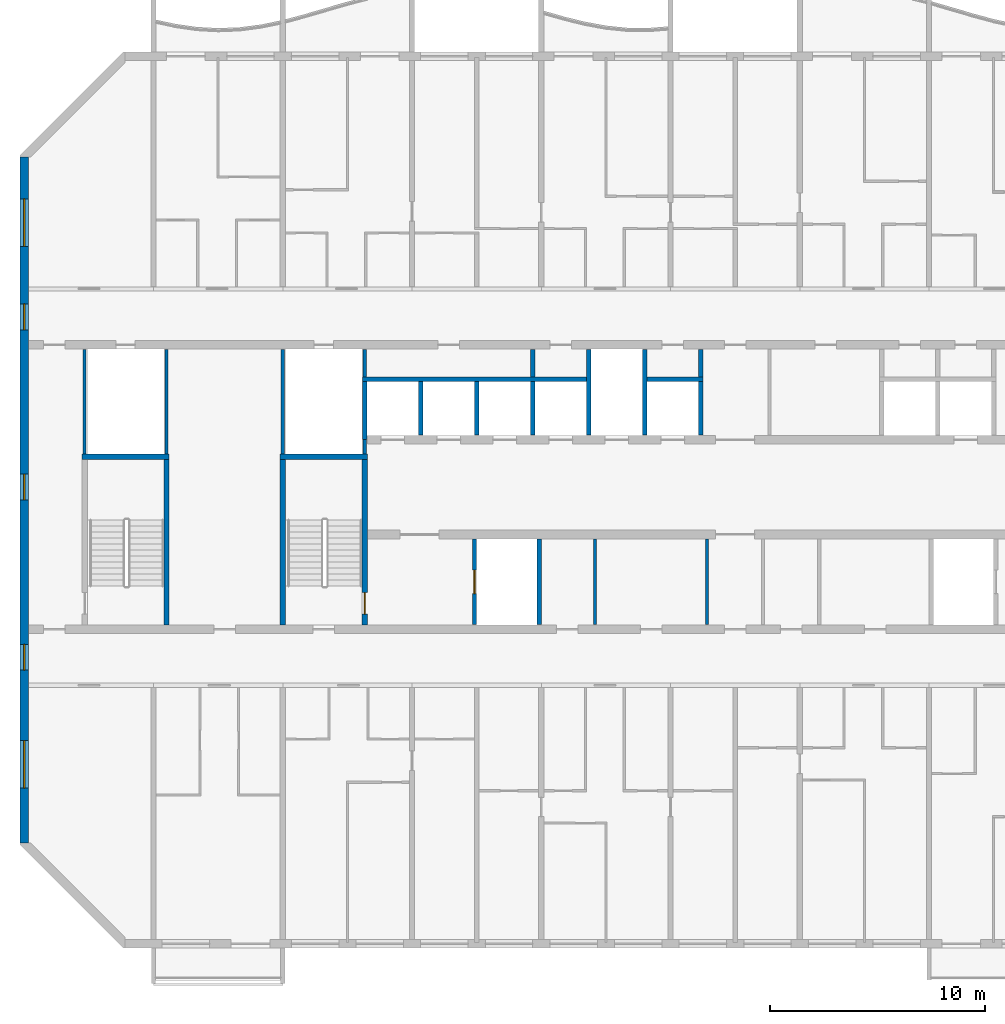
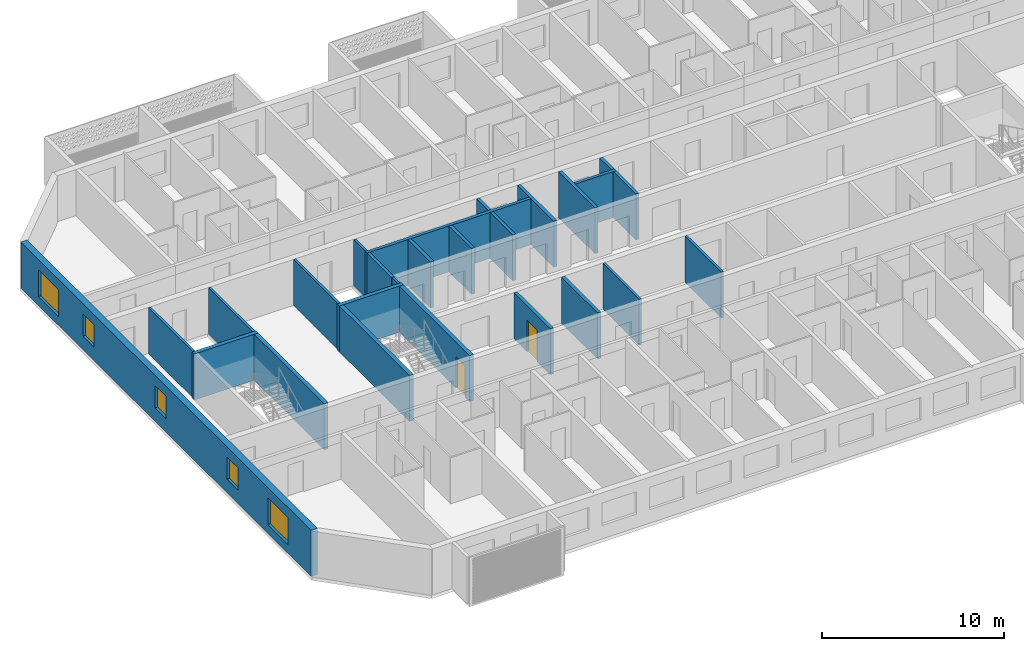
# One storey, part 3 of 28: 26 walls, 5 windows, 2 doors, 7 openings.
"""IFC4 building model written with IfcOpenShell, lengths in metres."""

import ifcopenshell
import ifcopenshell.guid

model = None  # the IFC model being written
_history = None  # IfcOwnerHistory: only IFC2X3 demands one
_inside = {}  # id of a spatial element -> (the spatial element, [elements in it])
_under = {}  # id of a project, library or spatial element -> (it, [spatial elements below it])
_declared = {}  # id of a project -> (the project, [libraries it declares])
_typed = {}  # id of a type object -> (the type object, [elements of that type])
_made_of = {}  # id of a material, layer set ... -> (it, [elements and type objects made of it])


def new_model(schema):
    """Start an empty IFC model of exactly this schema.

    Asked for "IFC4X3", IfcOpenShell would pick the latest addendum, in which some entities
    have other attributes; the version numbers below select the first issue.
    IFC2X3 requires an IfcOwnerHistory on every rooted entity: one is made here for all.
    """
    global model, _history
    if schema == "IFC4X3":
        model = ifcopenshell.file(schema_version=(4, 3, 0, 0))
    else:
        model = ifcopenshell.file(schema=schema)
    _inside.clear()
    _under.clear()
    _declared.clear()
    _typed.clear()
    _made_of.clear()
    _history = None
    if model.schema == "IFC2X3":
        org = make("IfcOrganization", Name="unknown")
        user = make(
            "IfcPersonAndOrganization",
            ThePerson=make("IfcPerson", FamilyName="unknown"),
            TheOrganization=org,
        )
        app = make(
            "IfcApplication",
            ApplicationDeveloper=org,
            Version="unknown",
            ApplicationFullName="unknown",
            ApplicationIdentifier="unknown",
        )
        _history = make(
            "IfcOwnerHistory",
            OwningUser=user,
            OwningApplication=app,
            ChangeAction="ADDED",
            CreationDate=0,
        )
    return model


def make(cls, **values):
    """One entity of the class cls with the attributes given. An attribute that is None is left unset."""
    return model.create_entity(
        cls, **{name: value for name, value in values.items() if value is not None}
    )


def rooted(cls, **values):
    """An entity with a GlobalId (a new one), such as an element, a storey or a relation."""
    return make(cls, GlobalId=ifcopenshell.guid.new(), OwnerHistory=_history, **values)


def si_unit(unit_type, name, prefix=None):
    """IfcSIUnit, for example si_unit("LENGTHUNIT", "METRE", prefix="MILLI")."""
    return make("IfcSIUnit", UnitType=unit_type, Prefix=prefix, Name=name)


def assignment(units):
    """IfcUnitAssignment: the units of a project."""
    return None if units is None else make("IfcUnitAssignment", Units=units)


def point(xyz):
    """IfcCartesianPoint."""
    return None if xyz is None else make("IfcCartesianPoint", Coordinates=xyz)


def direction(xyz):
    """IfcDirection."""
    return None if xyz is None else make("IfcDirection", DirectionRatios=xyz)


def frame(location, z_axis=None, x_axis=None):
    """IfcAxis2Placement3D, a coordinate frame: its origin and axes. An axis left out is left unset."""
    return make(
        "IfcAxis2Placement3D",
        Location=point(location),
        Axis=direction(z_axis),
        RefDirection=direction(x_axis),
    )


def frame_2d(location, x_axis=None):
    """IfcAxis2Placement2D, a coordinate frame in the plane: its origin and x axis."""
    return make(
        "IfcAxis2Placement2D", Location=point(location), RefDirection=direction(x_axis)
    )


def origin():
    """The frame at (0, 0, 0) with its axes left unset."""
    return frame((0.0, 0.0, 0.0))


def place(relative_to, where):
    """IfcLocalPlacement: puts the frame where relative to a parent placement (None: the world)."""
    return make(
        "IfcLocalPlacement", PlacementRelTo=relative_to, RelativePlacement=where
    )


def context(
    kind, dimensions, precision=None, world=None, true_north=None, identifier=None
):
    """IfcGeometricRepresentationContext, for example the 3D "Model" context."""
    return make(
        "IfcGeometricRepresentationContext",
        ContextIdentifier=identifier,
        ContextType=kind,
        CoordinateSpaceDimension=dimensions,
        Precision=precision,
        WorldCoordinateSystem=world,
        TrueNorth=true_north,
    )


def subcontext(parent, identifier, kind, view, scale=None):
    """IfcGeometricRepresentationSubContext, for example "Body" below "Model"."""
    return make(
        "IfcGeometricRepresentationSubContext",
        ContextIdentifier=identifier,
        ContextType=kind,
        ParentContext=parent,
        TargetScale=scale,
        TargetView=view,
    )


def project(units=None, contexts=None):
    """IfcProject with its units and contexts."""
    return rooted(
        "IfcProject",
        Name="project",
        RepresentationContexts=contexts,
        UnitsInContext=assignment(units),
    )


def spatial(cls, under=None, at=None, **own):
    """A site, building, storey or space (cls), placed at a placement, below another one or the project."""
    s = rooted(cls, ObjectPlacement=at, **own)
    if under is not None:
        _under.setdefault(under.id(), (under, []))[1].append(s)
    return s


def profile(cls, at=None, kind="AREA", **sizes):
    """A parametric profile (cls). Its sizes go by their IFC names, for example OverallWidth=200.0."""
    return make(cls, ProfileType=kind, Position=at, **sizes)


def rectangle(**sizes):
    """IfcRectangleProfileDef."""
    return profile("IfcRectangleProfileDef", **sizes)


def extrude(swept, where, along, depth):
    """IfcExtrudedAreaSolid: the profile swept, set in the frame where, extruded along a direction by depth."""
    return make(
        "IfcExtrudedAreaSolid",
        SweptArea=swept,
        Position=where,
        ExtrudedDirection=direction(along),
        Depth=depth,
    )


def shape(context_of_items, identifier, shape_type, items):
    """IfcShapeRepresentation: the items that make up one representation, for example the "Body"."""
    return make(
        "IfcShapeRepresentation",
        ContextOfItems=context_of_items,
        RepresentationIdentifier=identifier,
        RepresentationType=shape_type,
        Items=items,
    )


def material(Name=None, Category=None):
    """IfcMaterial."""
    return make("IfcMaterial", Name=Name, Category=Category)


def layer(
    of_material, thickness, ventilated=None, Name=None, Category=None, Priority=None
):
    """IfcMaterialLayer: one layer of a wall or slab, of a material (None: an air gap)."""
    return make(
        "IfcMaterialLayer",
        Material=of_material,
        LayerThickness=thickness,
        IsVentilated=ventilated,
        Name=Name,
        Category=Category,
        Priority=Priority,
    )


def layer_set(layers, Name=None):
    """IfcMaterialLayerSet."""
    return make("IfcMaterialLayerSet", MaterialLayers=layers, LayerSetName=Name)


def made_of(thing, what):
    """Note that an element or type object is made of a material, layer set ...; save() writes the relation."""
    if what is not None:
        _made_of.setdefault(what.id(), (what, []))[1].append(thing)
    return thing


def type_object(cls, material=None, **own):
    """A type object (cls), such as IfcWallType, which elements share."""
    return made_of(rooted(cls, **own), material)


def element(
    cls,
    number,
    at=None,
    inside=None,
    cuts=None,
    type_object=None,
    material=None,
    context=None,
    identifier="Body",
    shape_type=None,
    held_by="IfcProductDefinitionShape",
    body=None,
    shapes=None,
    **own,
):
    """One element of the class cls, such as IfcWall. Its Tag is "e" and its number.

    at: its placement. inside: the storey or other place that contains it. cuts: it is an
    opening in that element (IfcRelVoidsElement). A single representation is given by context,
    identifier, shape_type and body (its items); several are given by shapes. held_by: the class
    of the entity that holds the representations. save() writes the other relations.
    """
    e = rooted(cls, Tag="e%d" % number, ObjectPlacement=at, **own)
    if body is not None:
        shapes = [shape(context, identifier, shape_type, body)]
    if shapes is not None:
        e.Representation = make(held_by, Representations=shapes)
    if inside is not None:
        _inside.setdefault(inside.id(), (inside, []))[1].append(e)
    if cuts is not None:
        rooted(
            "IfcRelVoidsElement", RelatingBuildingElement=cuts, RelatedOpeningElement=e
        )
    if type_object is not None:
        _typed.setdefault(type_object.id(), (type_object, []))[1].append(e)
    return made_of(e, material)


def fill(opening, filler):
    """IfcRelFillsElement: the door or window that sits in an opening."""
    return rooted(
        "IfcRelFillsElement",
        RelatingOpeningElement=opening,
        RelatedBuildingElement=filler,
    )


def aggregate(whole, parts):
    """IfcRelAggregates: a whole, such as a stair, and the parts it consists of."""
    return rooted("IfcRelAggregates", RelatingObject=whole, RelatedObjects=parts)


def save(model, path):
    """Write the relations noted so far, then the file.

    IfcRelAggregates (storeys below a building ...), IfcRelContainedInSpatialStructure (elements
    in a storey), IfcRelDefinesByType, IfcRelAssociatesMaterial and IfcRelDeclares: one each for
    every whole, place, type object, material and project.
    """
    for whole, parts in _under.values():
        aggregate(whole, parts)
    for where, things in _inside.values():
        rooted(
            "IfcRelContainedInSpatialStructure",
            RelatedElements=things,
            RelatingStructure=where,
        )
    for kind, things in _typed.values():
        rooted("IfcRelDefinesByType", RelatedObjects=things, RelatingType=kind)
    for what, things in _made_of.values():
        rooted("IfcRelAssociatesMaterial", RelatedObjects=things, RelatingMaterial=what)
    for by, libraries in _declared.values():
        rooted("IfcRelDeclares", RelatingContext=by, RelatedDefinitions=libraries)
    model.write(path)


model = new_model("IFC4")

# Units and contexts
model_context = context("Model", 3, precision=1e-05, world=origin(), true_north=direction((0.0, 1.0)))
body_context = subcontext(model_context, "Body", "Model", "MODEL_VIEW")
ifc_project = project(units=[si_unit("LENGTHUNIT", "METRE"), si_unit("AREAUNIT", "SQUARE_METRE"), si_unit("VOLUMEUNIT", "CUBIC_METRE"), si_unit("PLANEANGLEUNIT", "RADIAN"), si_unit("MASSUNIT", "GRAM", prefix="KILO")], contexts=[model_context])

# Site, building, storey
site_placement = place(None, origin())
site = spatial("IfcSite", under=ifc_project, at=site_placement, CompositionType="ELEMENT")
building_placement = place(site_placement, origin())
building = spatial("IfcBuilding", under=site, at=building_placement, Name="Poui Terraces", CompositionType="ELEMENT")
storey_placement = place(building_placement, frame((0.0, 0.0, 188.39990234375)))
storey = spatial("IfcBuildingStorey", under=building, at=storey_placement, Name="L52", CompositionType="ELEMENT", Elevation=188.39990234375)

# Wall
ifc_material_1 = material(Name="Fire-rated plasterboard wall")
ifc_layer_1 = layer(ifc_material_1, 0.14990234375)
ifc_layer_set_1 = layer_set([ifc_layer_1], Name="Fire-rated plasterboard wall")
wall_type_1 = type_object("IfcWallType", Name="CORRIDOR WALL 150", PredefinedType="PARTITIONING", material=ifc_layer_set_1)
wall_1_placement = place(storey_placement, frame((49.699951171875, 14.81005859375, 0.0), z_axis=(0.0, 0.0, 1.0), x_axis=(0.0, 1.0, 0.0)))
element("IfcWall", 1, at=wall_1_placement, inside=storey, type_object=wall_type_1, Name="CORRIDOR WALL 150", PredefinedType="PARTITIONING", context=body_context, shape_type="SweptSolid", body=[
    extrude(rectangle(XDim=3.97998046875, YDim=0.14990234375, at=frame_2d((1.989990234375, 0.0))), origin(), (0.0, 0.0, 1.0), 3.080078125),
])

# Wall, openings, windows
ifc_material_2 = material(Name="Concrete 50 MPa", Category="concrete")
ifc_layer_2 = layer(ifc_material_2, 0.39990234375)
ifc_layer_set_2 = layer_set([ifc_layer_2], Name="Concrete 50 MPa")
wall_type_2 = type_object("IfcWallType", Name="END WALL 400 50MPa", PredefinedType="SHEAR", material=ifc_layer_set_2)
wall_2_placement = place(storey_placement, frame((18.0, 4.682861328125, 0.0), z_axis=(0.0, 0.0, 1.0), x_axis=(0.0, 1.0, 0.0)))
wall_2 = element("IfcWall", 2, at=wall_2_placement, inside=storey, type_object=wall_type_2, Name="END WALL WEST", PredefinedType="SHEAR", context=body_context, shape_type="SweptSolid", body=[
    extrude(rectangle(XDim=31.834228515625, YDim=0.39990234375, at=frame_2d((15.9169921875, 0.0))), origin(), (0.0, 0.0, 1.0), 3.080078125),
])
opening_1_placement = place(wall_2_placement, frame((23.817138671875, 0.0, 0.89990234375)))
opening_1 = element("IfcOpeningElement", 3, at=opening_1_placement, cuts=wall_2, Name="Opening W2", PredefinedType="OPENING", context=body_context, shape_type="SweptSolid", body=[
    extrude(rectangle(XDim=1.199951171875, YDim=1.5, at=frame_2d((0.60009765625, 0.75))), frame((0.0, 0.2099609375, 0.0), z_axis=(0.0, -1.0, 0.0), x_axis=(1.0, 0.0, 0.0)), (0.0, 0.0, 1.0), 0.419921875),
])
opening_2_placement = place(wall_2_placement, frame((8.01708984375, 0.0, 0.89990234375)))
opening_2 = element("IfcOpeningElement", 4, at=opening_2_placement, cuts=wall_2, Name="Opening W2", PredefinedType="OPENING", context=body_context, shape_type="SweptSolid", body=[
    extrude(rectangle(XDim=1.199951171875, YDim=1.5, at=frame_2d((0.60009765625, 0.75))), frame((0.0, 0.2099609375, 0.0), z_axis=(0.0, -1.0, 0.0), x_axis=(1.0, 0.0, 0.0)), (0.0, 0.0, 1.0), 0.419921875),
])
opening_3_placement = place(wall_2_placement, frame((27.693603515625, 0.0, 0.60009765625)))
opening_3 = element("IfcOpeningElement", 5, at=opening_3_placement, cuts=wall_2, Name="Opening W3", PredefinedType="OPENING", context=body_context, shape_type="SweptSolid", body=[
    extrude(rectangle(XDim=2.199951171875, YDim=1.800048828125, at=frame_2d((1.10009765625, 0.89990234375))), frame((0.0, 0.2099609375, 0.0), z_axis=(0.0, -1.0, 0.0), x_axis=(1.0, 0.0, 0.0)), (0.0, 0.0, 1.0), 0.419921875),
])
opening_4_placement = place(wall_2_placement, frame((2.541015625, 0.0, 0.60009765625)))
opening_4 = element("IfcOpeningElement", 6, at=opening_4_placement, cuts=wall_2, Name="Opening W3", PredefinedType="OPENING", context=body_context, shape_type="SweptSolid", body=[
    extrude(rectangle(XDim=2.199951171875, YDim=1.800048828125, at=frame_2d((1.10009765625, 0.89990234375))), frame((0.0, 0.2099609375, 0.0), z_axis=(0.0, -1.0, 0.0), x_axis=(1.0, 0.0, 0.0)), (0.0, 0.0, 1.0), 0.419921875),
])
opening_5_placement = place(wall_2_placement, frame((15.917236328125, 0.0, 0.89990234375)))
opening_5 = element("IfcOpeningElement", 7, at=opening_5_placement, cuts=wall_2, Name="Opening W2", PredefinedType="OPENING", context=body_context, shape_type="SweptSolid", body=[
    extrude(rectangle(XDim=1.199951171875, YDim=1.5, at=frame_2d((0.60009765625, 0.75))), frame((0.0, 0.2099609375, 0.0), z_axis=(0.0, -1.0, 0.0), x_axis=(1.0, 0.0, 0.0)), (0.0, 0.0, 1.0), 0.419921875),
])
ifc_material_3 = material(Name="Clear glass in aluminium frame", Category="aluminium")
window_type_1 = type_object("IfcWindowType", Name="WINDOW 1200X1500", PartitioningType="SINGLE_PANEL", PredefinedType="WINDOW", material=ifc_material_3)
window_1_placement = place(opening_1_placement, origin())
window_1 = element("IfcWindow", 8, at=window_1_placement, inside=storey, type_object=window_type_1, Name="W2 WINDOW", OverallHeight=1.5, OverallWidth=1.199951171875, PartitioningType="SINGLE_PANEL", PredefinedType="WINDOW", context=body_context, shape_type="SweptSolid", body=[
    extrude(rectangle(XDim=1.199951171875, YDim=1.5, at=frame_2d((0.60009765625, 0.75))), frame((0.0, 0.030029296875, 0.0), z_axis=(0.0, -1.0, 0.0), x_axis=(1.0, 0.0, 0.0)), (0.0, 0.0, 1.0), 0.06005859375),
])
fill(opening_1, window_1)
window_2_placement = place(opening_2_placement, origin())
window_2 = element("IfcWindow", 9, at=window_2_placement, inside=storey, type_object=window_type_1, Name="W2 WINDOW", OverallHeight=1.5, OverallWidth=1.199951171875, PartitioningType="SINGLE_PANEL", PredefinedType="WINDOW", context=body_context, shape_type="SweptSolid", body=[
    extrude(rectangle(XDim=1.199951171875, YDim=1.5, at=frame_2d((0.60009765625, 0.75))), frame((0.0, 0.030029296875, 0.0), z_axis=(0.0, -1.0, 0.0), x_axis=(1.0, 0.0, 0.0)), (0.0, 0.0, 1.0), 0.06005859375),
])
fill(opening_2, window_2)
window_3_placement = place(opening_5_placement, origin())
window_3 = element("IfcWindow", 10, at=window_3_placement, inside=storey, type_object=window_type_1, Name="W2 WINDOW", OverallHeight=1.5, OverallWidth=1.199951171875, PartitioningType="SINGLE_PANEL", PredefinedType="WINDOW", context=body_context, shape_type="SweptSolid", body=[
    extrude(rectangle(XDim=1.199951171875, YDim=1.5, at=frame_2d((0.60009765625, 0.75))), frame((0.0, 0.030029296875, 0.0), z_axis=(0.0, -1.0, 0.0), x_axis=(1.0, 0.0, 0.0)), (0.0, 0.0, 1.0), 0.06005859375),
])
fill(opening_5, window_3)
window_type_2 = type_object("IfcWindowType", Name="WINDOW 2200X1800", PartitioningType="DOUBLE_PANEL_HORIZONTAL", PredefinedType="WINDOW", material=ifc_material_3)
window_4_placement = place(opening_3_placement, origin())
window_4 = element("IfcWindow", 11, at=window_4_placement, inside=storey, type_object=window_type_2, Name="W3 WINDOW", OverallHeight=1.800048828125, OverallWidth=2.199951171875, PartitioningType="DOUBLE_PANEL_HORIZONTAL", PredefinedType="WINDOW", context=body_context, shape_type="SweptSolid", body=[
    extrude(rectangle(XDim=2.199951171875, YDim=1.800048828125, at=frame_2d((1.10009765625, 0.89990234375))), frame((0.0, 0.030029296875, 0.0), z_axis=(0.0, -1.0, 0.0), x_axis=(1.0, 0.0, 0.0)), (0.0, 0.0, 1.0), 0.06005859375),
])
fill(opening_3, window_4)
window_5_placement = place(opening_4_placement, origin())
window_5 = element("IfcWindow", 12, at=window_5_placement, inside=storey, type_object=window_type_2, Name="W3 WINDOW", OverallHeight=1.800048828125, OverallWidth=2.199951171875, PartitioningType="DOUBLE_PANEL_HORIZONTAL", PredefinedType="WINDOW", context=body_context, shape_type="SweptSolid", body=[
    extrude(rectangle(XDim=2.199951171875, YDim=1.800048828125, at=frame_2d((1.10009765625, 0.89990234375))), frame((0.0, 0.030029296875, 0.0), z_axis=(0.0, -1.0, 0.0), x_axis=(1.0, 0.0, 0.0)), (0.0, 0.0, 1.0), 0.06005859375),
])
fill(opening_4, window_5)

# Walls
ifc_material_4 = material(Name="Plasterboard partition")
ifc_layer_3 = layer(ifc_material_4, 0.14990234375)
ifc_layer_set_3 = layer_set([ifc_layer_3], Name="Plasterboard partition")
wall_type_3 = type_object("IfcWallType", Name="PARTITION WALL 150", PredefinedType="PARTITIONING", material=ifc_layer_set_3)
wall_3_placement = place(storey_placement, frame((44.5, 14.81005859375, 0.0), z_axis=(0.0, 0.0, 1.0), x_axis=(0.0, 1.0, 0.0)))
element("IfcWall", 13, at=wall_3_placement, inside=storey, type_object=wall_type_3, Name="PARTITION WALL 150", PredefinedType="PARTITIONING", context=body_context, shape_type="SweptSolid", body=[
    extrude(rectangle(XDim=3.97998046875, YDim=0.14990234375, at=frame_2d((1.989990234375, 0.0))), origin(), (0.0, 0.0, 1.0), 3.080078125),
])
ifc_material_5 = material(Name="Fire-rated masonry wall", Category="masonry")
ifc_layer_4 = layer(ifc_material_5, 0.199951171875)
ifc_layer_set_4 = layer_set([ifc_layer_4], Name="Fire-rated masonry wall")
wall_type_4 = type_object("IfcWallType", Name="PLANT ROOM WALL 200", PredefinedType="PARTITIONING", material=ifc_layer_set_4)
for number, where, z_axis, x_axis, name in (
    (14, (41.60009765625, 26.300048828125, 0.0), (0.0, 0.0, 1.0), (0.0, 1.0, 0.0), "PLANT ROOM WALL 200"),
    (15, (49.39990234375, 26.300048828125, 0.0), (0.0, 0.0, 1.0), (0.0, 1.0, 0.0), "PLANT ROOM WALL 200"),
):
    element("IfcWall", number, at=place(storey_placement, frame(where, z_axis=z_axis, x_axis=x_axis)), inside=storey, type_object=wall_type_4, Name=name, PredefinedType="PARTITIONING", context=body_context, shape_type="SweptSolid", body=[
        extrude(rectangle(XDim=1.2900390625, YDim=0.199951171875, at=frame_2d((0.64501953125, 0.0))), origin(), (0.0, 0.0, 1.0), 3.080078125),
    ])
ifc_material_6 = material(Name="Fire-rated plasterboard riser wall")
ifc_layer_5 = layer(ifc_material_6, 0.14990234375)
ifc_layer_set_5 = layer_set([ifc_layer_5], Name="Fire-rated plasterboard riser wall")
wall_type_5 = type_object("IfcWallType", Name="RISER WALL 150", PredefinedType="PARTITIONING", material=ifc_layer_set_5)
for number, where, z_axis, x_axis, name in (
    (16, (20.800048828125, 22.735107421875, 0.0), (0.0, 0.0, 1.0), (0.0, 1.0, 0.0), "RISER WALL 150"),
    (17, (24.60009765625, 22.735107421875, 0.0), (0.0, 0.0, 1.0), (0.0, 1.0, 0.0), "RISER WALL 150"),
    (18, (30.0, 22.735107421875, 0.0), (0.0, 0.0, 1.0), (0.0, 1.0, 0.0), "RISER WALL 150"),
):
    element("IfcWall", number, at=place(storey_placement, frame(where, z_axis=z_axis, x_axis=x_axis)), inside=storey, type_object=wall_type_5, Name=name, PredefinedType="PARTITIONING", context=body_context, shape_type="SweptSolid", body=[
        extrude(rectangle(XDim=4.85498046875, YDim=0.14990234375, at=frame_2d((2.427490234375, 0.0))), origin(), (0.0, 0.0, 1.0), 3.080078125),
    ])
wall_4_placement = place(storey_placement, frame((33.800048828125, 22.735107421875, 0.0), z_axis=(0.0, 0.0, 1.0), x_axis=(0.0, 1.0, 0.0)))
element("IfcWall", 19, at=wall_4_placement, inside=storey, type_object=wall_type_5, Name="RISER WALL 150", PredefinedType="PARTITIONING", context=body_context, shape_type="SweptSolid", body=[
    extrude(rectangle(XDim=0.664794921875, YDim=0.14990234375, at=frame_2d((0.33251953125, 0.0))), origin(), (0.0, 0.0, 1.0), 3.080078125),
])
wall_5_placement = place(storey_placement, frame((33.800048828125, 26.300048828125, 0.0), z_axis=(0.0, 0.0, 1.0), x_axis=(0.0, 1.0, 0.0)))
element("IfcWall", 20, at=wall_5_placement, inside=storey, type_object=wall_type_5, Name="RISER WALL 150", PredefinedType="PARTITIONING", context=body_context, shape_type="SweptSolid", body=[
    extrude(rectangle(XDim=1.2900390625, YDim=0.14990234375, at=frame_2d((0.64501953125, 0.0))), origin(), (0.0, 0.0, 1.0), 3.080078125),
])
ifc_material_7 = material(Name="Fire-rated masonry shaft wall", Category="masonry")
ifc_layer_6 = layer(ifc_material_7, 0.199951171875)
ifc_layer_set_6 = layer_set([ifc_layer_6], Name="Fire-rated masonry shaft wall")
wall_type_6 = type_object("IfcWallType", Name="SHAFT WALL 200", PredefinedType="PARTITIONING", material=ifc_layer_set_6)
wall_6_placement = place(storey_placement, frame((33.699951171875, 26.199951171875, 0.0), z_axis=(0.0, 0.0, 1.0), x_axis=(1.0, 0.0, 0.0)))
element("IfcWall", 21, at=wall_6_placement, inside=storey, type_object=wall_type_6, Name="SHAFT WALL 200", PredefinedType="PARTITIONING", context=body_context, shape_type="SweptSolid", body=[
    extrude(rectangle(XDim=10.400146484375, YDim=0.199951171875, at=frame_2d((5.2001953125, 0.0))), origin(), (0.0, 0.0, 1.0), 3.080078125),
])
wall_7_placement = place(storey_placement, frame((46.89990234375, 26.199951171875, 0.0), z_axis=(0.0, 0.0, 1.0), x_axis=(1.0, 0.0, 0.0)))
element("IfcWall", 22, at=wall_7_placement, inside=storey, type_object=wall_type_6, Name="SHAFT WALL 200", PredefinedType="PARTITIONING", context=body_context, shape_type="SweptSolid", body=[
    extrude(rectangle(XDim=2.60009765625, YDim=0.199951171875, at=frame_2d((1.300048828125, 0.0))), origin(), (0.0, 0.0, 1.0), 3.080078125),
])
wall_8_placement = place(storey_placement, frame((33.800048828125, 23.39990234375, 0.0), z_axis=(0.0, 0.0, 1.0), x_axis=(0.0, 1.0, 0.0)))
element("IfcWall", 23, at=wall_8_placement, inside=storey, type_object=wall_type_6, Name="SHAFT WALL 200", PredefinedType="PARTITIONING", context=body_context, shape_type="SweptSolid", body=[
    extrude(rectangle(XDim=2.7001953125, YDim=0.199951171875, at=frame_2d((1.35009765625, 0.0))), origin(), (0.0, 0.0, 1.0), 3.080078125),
])
wall_9_placement = place(storey_placement, frame((36.39990234375, 23.610107421875, 0.0), z_axis=(0.0, 0.0, 1.0), x_axis=(0.0, 1.0, 0.0)))
element("IfcWall", 24, at=wall_9_placement, inside=storey, type_object=wall_type_6, Name="SHAFT WALL 200", PredefinedType="PARTITIONING", context=body_context, shape_type="SweptSolid", body=[
    extrude(rectangle(XDim=2.489990234375, YDim=0.199951171875, at=frame_2d((1.2451171875, 0.0))), origin(), (0.0, 0.0, 1.0), 3.080078125),
])

# Wall, opening, door
wall_10_placement = place(storey_placement, frame((38.89990234375, 14.81005859375, 0.0), z_axis=(0.0, 0.0, 1.0), x_axis=(0.0, 1.0, 0.0)))
wall_10 = element("IfcWall", 25, at=wall_10_placement, inside=storey, type_object=wall_type_6, Name="SHAFT WALL 200", PredefinedType="PARTITIONING", context=body_context, shape_type="SweptSolid", body=[
    extrude(rectangle(XDim=3.97998046875, YDim=0.199951171875, at=frame_2d((1.989990234375, 0.0))), origin(), (0.0, 0.0, 1.0), 3.080078125),
])
opening_6_placement = place(wall_10_placement, frame((1.43994140625, 0.0, 0.0)))
opening_6 = element("IfcOpeningElement", 26, at=opening_6_placement, cuts=wall_10, Name="Opening LD", PredefinedType="OPENING", context=body_context, shape_type="SweptSolid", body=[
    extrude(rectangle(XDim=1.10009765625, YDim=2.10009765625, at=frame_2d((0.550048828125, 1.050048828125))), frame((0.0, 0.10986328125, 0.0), z_axis=(0.0, -1.0, 0.0), x_axis=(1.0, 0.0, 0.0)), (0.0, 0.0, 1.0), 0.219970703125),
])
ifc_material_8 = material(Name="Stainless steel sliding door", Category="steel")
door_type_1 = type_object("IfcDoorType", Name="LIFT LANDING DOOR 1100 X 2100", OperationType="DOUBLE_DOOR_SLIDING", PredefinedType="DOOR", material=ifc_material_8)
door_1_placement = place(opening_6_placement, origin())
door_1 = element("IfcDoor", 27, at=door_1_placement, inside=storey, type_object=door_type_1, Name="LANDING DOOR", OperationType="DOUBLE_DOOR_SLIDING", OverallHeight=2.10009765625, OverallWidth=1.10009765625, PredefinedType="DOOR", context=body_context, shape_type="SweptSolid", body=[
    extrude(rectangle(XDim=1.10009765625, YDim=2.10009765625, at=frame_2d((0.550048828125, 1.050048828125))), frame((0.0, 0.02490234375, 0.0), z_axis=(0.0, -1.0, 0.0), x_axis=(1.0, 0.0, 0.0)), (0.0, 0.0, 1.0), 0.050048828125),
])
fill(opening_6, door_1)

# Walls
for number, where, z_axis, x_axis, name in (
    (28, (39.0, 23.610107421875, 0.0), (0.0, 0.0, 1.0), (0.0, 1.0, 0.0), "SHAFT WALL 200"),
    (29, (41.60009765625, 23.610107421875, 0.0), (0.0, 0.0, 1.0), (0.0, 1.0, 0.0), "SHAFT WALL 200"),
):
    element("IfcWall", number, at=place(storey_placement, frame(where, z_axis=z_axis, x_axis=x_axis)), inside=storey, type_object=wall_type_6, Name=name, PredefinedType="PARTITIONING", context=body_context, shape_type="SweptSolid", body=[
        extrude(rectangle(XDim=2.489990234375, YDim=0.199951171875, at=frame_2d((1.2451171875, 0.0))), origin(), (0.0, 0.0, 1.0), 3.080078125),
    ])
for number, where, z_axis, x_axis, name in (
    (30, (41.89990234375, 14.81005859375, 0.0), (0.0, 0.0, 1.0), (0.0, 1.0, 0.0), "SHAFT WALL 200"),
    (31, (44.199951171875, 23.610107421875, 0.0), (0.0, 0.0, 1.0), (0.0, 1.0, 0.0), "SHAFT WALL 200"),
    (32, (46.800048828125, 23.610107421875, 0.0), (0.0, 0.0, 1.0), (0.0, 1.0, 0.0), "SHAFT WALL 200"),
):
    element("IfcWall", number, at=place(storey_placement, frame(where, z_axis=z_axis, x_axis=x_axis)), inside=storey, type_object=wall_type_6, Name=name, PredefinedType="PARTITIONING", context=body_context, shape_type="SweptSolid", body=[
        extrude(rectangle(XDim=3.97998046875, YDim=0.199951171875, at=frame_2d((1.989990234375, 0.0))), origin(), (0.0, 0.0, 1.0), 3.080078125),
    ])
wall_11_placement = place(storey_placement, frame((49.39990234375, 23.610107421875, 0.0), z_axis=(0.0, 0.0, 1.0), x_axis=(0.0, 1.0, 0.0)))
element("IfcWall", 33, at=wall_11_placement, inside=storey, type_object=wall_type_6, Name="SHAFT WALL 200", PredefinedType="PARTITIONING", context=body_context, shape_type="SweptSolid", body=[
    extrude(rectangle(XDim=2.489990234375, YDim=0.199951171875, at=frame_2d((1.2451171875, 0.0))), origin(), (0.0, 0.0, 1.0), 3.080078125),
])
ifc_layer_7 = layer(ifc_material_2, 0.25)
ifc_layer_set_7 = layer_set([ifc_layer_7], Name="Concrete 50 MPa")
wall_type_7 = type_object("IfcWallType", Name="STAIR CORE WALL 250 50 MPA", PredefinedType="SOLIDWALL", material=ifc_layer_set_7)
wall_12_placement = place(storey_placement, frame((30.0, 14.800048828125, 0.0), z_axis=(0.0, 0.0, 1.0), x_axis=(0.0, 1.0, 0.0)))
element("IfcWall", 34, at=wall_12_placement, inside=storey, type_object=wall_type_7, Name="STAIR CORE WALL", PredefinedType="SOLIDWALL", context=body_context, shape_type="SweptSolid", body=[
    extrude(rectangle(XDim=7.675048828125, YDim=0.25, at=frame_2d((3.83740234375, 0.0))), origin(), (0.0, 0.0, 1.0), 3.080078125),
])

# Wall, opening, door
wall_13_placement = place(storey_placement, frame((33.800048828125, 14.800048828125, 0.0), z_axis=(0.0, 0.0, 1.0), x_axis=(0.0, 1.0, 0.0)))
wall_13 = element("IfcWall", 35, at=wall_13_placement, inside=storey, type_object=wall_type_7, Name="STAIR CORE WALL", PredefinedType="SOLIDWALL", context=body_context, shape_type="SweptSolid", body=[
    extrude(rectangle(XDim=7.675048828125, YDim=0.25, at=frame_2d((3.83740234375, 0.0))), origin(), (0.0, 0.0, 1.0), 3.080078125),
])
opening_7_placement = place(wall_13_placement, frame((0.5, 0.0, 0.0)))
opening_7 = element("IfcOpeningElement", 36, at=opening_7_placement, cuts=wall_13, Name="Opening FD60S", PredefinedType="OPENING", context=body_context, shape_type="SweptSolid", body=[
    extrude(rectangle(XDim=1.0, YDim=2.10009765625, at=frame_2d((0.5, 1.050048828125))), frame((0.0, 0.135009765625, 0.0), z_axis=(0.0, -1.0, 0.0), x_axis=(1.0, 0.0, 0.0)), (0.0, 0.0, 1.0), 0.27001953125),
])
ifc_material_9 = material(Name="Steel fire door", Category="steel")
door_type_2 = type_object("IfcDoorType", Name="STAIR DOOR 1000 X 2100", OperationType="NOTDEFINED", PredefinedType="DOOR", material=ifc_material_9)
door_2_placement = place(opening_7_placement, origin())
door_2 = element("IfcDoor", 37, at=door_2_placement, inside=storey, type_object=door_type_2, Name="STAIR DOOR 104", OperationType="SINGLE_SWING_LEFT", OverallHeight=2.10009765625, OverallWidth=1.0, PredefinedType="DOOR", context=body_context, shape_type="SweptSolid", body=[
    extrude(rectangle(XDim=1.0, YDim=2.10009765625, at=frame_2d((0.5, 1.050048828125))), frame((0.0, 0.02490234375, 0.0), z_axis=(0.0, -1.0, 0.0), x_axis=(1.0, 0.0, 0.0)), (0.0, 0.0, 1.0), 0.050048828125),
])
fill(opening_7, door_2)

# Walls
wall_14_placement = place(storey_placement, frame((29.875, 22.60009765625, 0.0), z_axis=(0.0, 0.0, 1.0), x_axis=(1.0, 0.0, 0.0)))
element("IfcWall", 38, at=wall_14_placement, inside=storey, type_object=wall_type_7, Name="STAIR CORE WALL", PredefinedType="SOLIDWALL", context=body_context, shape_type="SweptSolid", body=[
    extrude(rectangle(XDim=4.050048828125, YDim=0.25, at=frame_2d((2.02490234375, 0.0))), origin(), (0.0, 0.0, 1.0), 3.080078125),
])
wall_15_placement = place(storey_placement, frame((24.60009765625, 14.800048828125, 0.0), z_axis=(0.0, 0.0, 1.0), x_axis=(0.0, 1.0, 0.0)))
element("IfcWall", 39, at=wall_15_placement, inside=storey, type_object=wall_type_7, Name="STAIR CORE WALL", PredefinedType="SOLIDWALL", context=body_context, shape_type="SweptSolid", body=[
    extrude(rectangle(XDim=7.675048828125, YDim=0.25, at=frame_2d((3.83740234375, 0.0))), origin(), (0.0, 0.0, 1.0), 3.080078125),
])
wall_16_placement = place(storey_placement, frame((20.675048828125, 22.60009765625, 0.0), z_axis=(0.0, 0.0, 1.0), x_axis=(1.0, 0.0, 0.0)))
element("IfcWall", 40, at=wall_16_placement, inside=storey, type_object=wall_type_7, Name="STAIR CORE WALL", PredefinedType="SOLIDWALL", context=body_context, shape_type="SweptSolid", body=[
    extrude(rectangle(XDim=4.050048828125, YDim=0.25, at=frame_2d((2.02490234375, 0.0))), origin(), (0.0, 0.0, 1.0), 3.080078125),
])

save(model, "model.ifc")
